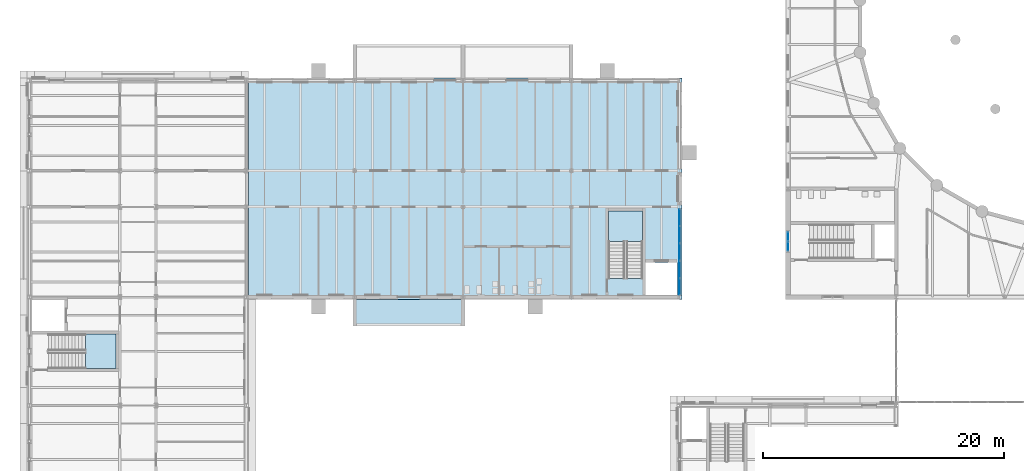
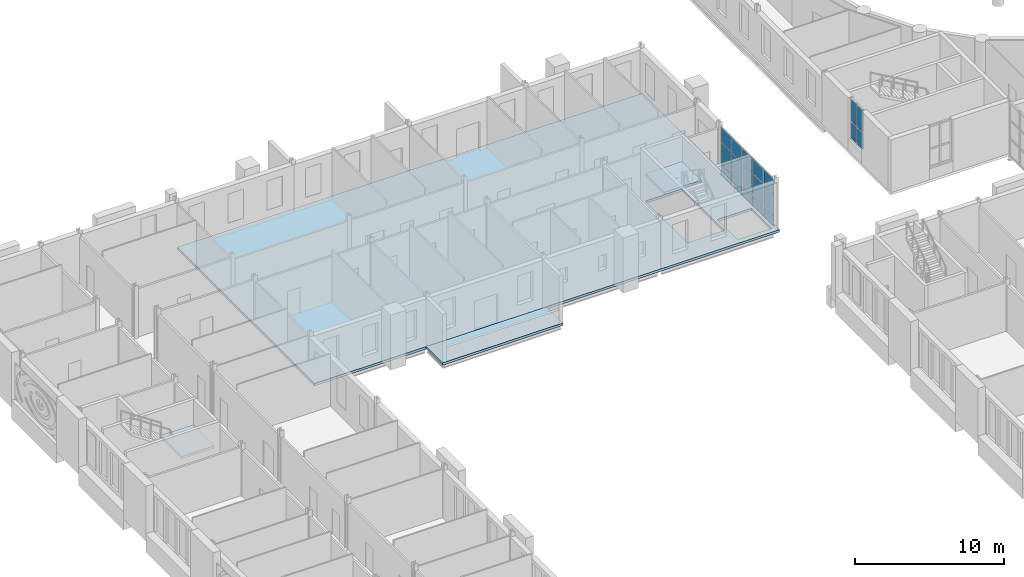
# One storey, part 62 of 134: 19 plates, 4 slabs, 4 elements without a shape of their own.
"""IFC4 building model written with IfcOpenShell, lengths in metres."""

from ifc_helpers import new_model, si_unit, direction, frame, origin, origin_2d, place, context, subcontext, project, spatial, polyline, rectangle, outline, extrude, material, layer, layer_set, type_object, element, aggregate, save


model = new_model("IFC4")

# Units and contexts
model_context = context("Model", 3, precision=1e-05, world=origin(), true_north=direction((0.0, 1.0)))
body_context = subcontext(model_context, "Body", "Model", "MODEL_VIEW")
ifc_project = project(units=[si_unit("LENGTHUNIT", "METRE"), si_unit("AREAUNIT", "SQUARE_METRE"), si_unit("VOLUMEUNIT", "CUBIC_METRE"), si_unit("PLANEANGLEUNIT", "RADIAN"), si_unit("MASSUNIT", "GRAM", prefix="KILO")], contexts=[model_context])

# Site, building, storey
site_placement = place(None, origin())
site = spatial("IfcSite", under=ifc_project, at=site_placement, CompositionType="ELEMENT")
building_placement = place(site_placement, origin())
building = spatial("IfcBuilding", under=site, at=building_placement, Name="Golden Quay Civic Hall", CompositionType="ELEMENT")
storey_placement = place(building_placement, frame((0.0, 0.0, 5.39990234375)))
storey = spatial("IfcBuildingStorey", under=building, at=storey_placement, Name="L01", CompositionType="ELEMENT", Elevation=5.39990234375)

# Slab
ifc_material_1 = material(Name="Concrete C35/45", Category="concrete")
ifc_layer_1 = layer(ifc_material_1, 0.199951171875)
ifc_layer_set_1 = layer_set([ifc_layer_1], Name="Composite floor 200")
slab_type_1 = type_object("IfcSlabType", Name="Composite floor 200", PredefinedType="FLOOR", material=ifc_layer_set_1)
slab_1_placement = place(storey_placement, frame((0.0, 0.0, -0.199951171875)))
element("IfcSlab", 1, at=slab_1_placement, inside=storey, type_object=slab_type_1, Name="NW floor L01", PredefinedType="FLOOR", context=body_context, shape_type="SweptSolid", body=[
    extrude(outline(polyline([(18.199951171875, 62.800048828125), (18.199951171875, 81.199951171875), (54.199951171875, 81.199951171875), (54.199951171875, 62.800048828125), (18.199951171875, 62.800048828125)]), holes=[polyline([(48.074951171875, 70.175048828125), (48.074951171875, 64.554931640625), (50.925048828125, 64.554931640625), (50.925048828125, 70.175048828125), (48.074951171875, 70.175048828125)]), polyline([(53.800048828125, 65.89990234375), (51.175048828125, 65.89990234375), (51.175048828125, 63.199951171875), (53.800048828125, 63.199951171875), (53.800048828125, 65.89990234375)])]), origin(), (0.0, 0.0, 1.0), 0.199951171875),
])

# Stair, slab
ifc_material_2 = material(Name="Concrete C35/45", Category="concrete")
stair_type = type_object("IfcStairType", Name="Concrete stair 1350 wide 24 risers of 187.5", PredefinedType="HALF_TURN_STAIR", material=ifc_material_2)
stair_1_placement = place(storey_placement, origin())
stair_1 = element("IfcStair", 2, at=stair_1_placement, inside=storey, type_object=stair_type, Name="L01 Stair WO-N", PredefinedType="HALF_TURN_STAIR")
ifc_material_3 = material(Name="Concrete C35/45", Category="concrete")
ifc_layer_2 = layer(ifc_material_3, 0.199951171875)
ifc_layer_set_2 = layer_set([ifc_layer_2], Name="Concrete stair landing 200, Concrete C35/45")
slab_type_2 = type_object("IfcSlabType", Name="Concrete stair landing 200", PredefinedType="LANDING", material=ifc_layer_set_2)
slab_2_placement = place(storey_placement, frame((0.0, 0.0, 2.050048828125)))
slab_2 = element("IfcSlab", 3, at=slab_2_placement, type_object=slab_type_2, Name="WO-N landing 1", PredefinedType="LANDING", context=body_context, shape_type="SweptSolid", body=[
    extrude(outline(polyline([(4.6298828125, 57.074951171875), (7.175048828125, 57.074951171875), (7.175048828125, 59.925048828125), (4.6298828125, 59.925048828125), (4.6298828125, 57.074951171875)])), origin(), (0.0, 0.0, 1.0), 0.199951171875),
])
aggregate(stair_1, [slab_2])

stair_2_placement = place(storey_placement, origin())
stair_2 = element("IfcStair", 4, at=stair_2_placement, inside=storey, type_object=stair_type, Name="L01 Stair NW-E", PredefinedType="HALF_TURN_STAIR")
slab_3_placement = place(storey_placement, frame((0.0, 0.0, 2.050048828125)))
slab_3 = element("IfcSlab", 5, at=slab_3_placement, type_object=slab_type_2, Name="NW-E landing 1", PredefinedType="LANDING", context=body_context, shape_type="SweptSolid", body=[
    extrude(outline(polyline([(50.925048828125, 67.6298828125), (50.925048828125, 70.175048828125), (48.074951171875, 70.175048828125), (48.074951171875, 67.6298828125), (50.925048828125, 67.6298828125)])), origin(), (0.0, 0.0, 1.0), 0.199951171875),
])
aggregate(stair_2, [slab_3])

# Curtain wall, plates
ifc_material_4 = material(Name="Glass, laminated double glazed", Category="glass")
ifc_layer_3 = layer(ifc_material_4, 0.199951171875)
ifc_layer_set_3 = layer_set([ifc_layer_3], Name="Glazed core strip curtain wall")
curtain_wall_type_1 = type_object("IfcCurtainWallType", Name="Glazed core strip curtain wall", PredefinedType="NOTDEFINED", material=ifc_layer_set_3)
curtain_wall_1_placement = place(storey_placement, origin())
curtain_wall_1 = element("IfcCurtainWall", 6, at=curtain_wall_1_placement, inside=storey, type_object=curtain_wall_type_1, Name="Glazed core strip curtain wall L01 2", PredefinedType="NOTDEFINED")
ifc_material_5 = material(Name="Glass, laminated double glazed", Category="glass")
ifc_layer_4 = layer(ifc_material_5, 0.028076171875)
ifc_layer_set_4 = layer_set([ifc_layer_4], Name="Double glazed curtain wall panel 28")
plate_type_1 = type_object("IfcPlateType", Name="Double glazed curtain wall panel 28", PredefinedType="CURTAIN_PANEL", material=ifc_layer_set_4)
plate_1_placement = place(storey_placement, frame((54.0, 69.618896484375, 0.06005859375), z_axis=(0.0, 0.0, 1.0), x_axis=(0.0, -1.0, 0.0)))
plate_1 = element("IfcPlate", 7, at=plate_1_placement, type_object=plate_type_1, Name="CW2 panel 1.1", PredefinedType="CURTAIN_PANEL", context=body_context, shape_type="SweptSolid", body=[
    extrude(rectangle(XDim=1.35205078125, YDim=0.028076171875, at=origin_2d()), origin(), (0.0, 0.0, 1.0), 0.81005859375),
])
plate_2_placement = place(storey_placement, frame((54.0, 69.618896484375, 0.93017578125), z_axis=(0.0, 0.0, 1.0), x_axis=(0.0, -1.0, 0.0)))
plate_2 = element("IfcPlate", 8, at=plate_2_placement, type_object=plate_type_1, Name="CW2 panel 1.2", PredefinedType="CURTAIN_PANEL", context=body_context, shape_type="SweptSolid", body=[
    extrude(rectangle(XDim=1.35205078125, YDim=0.028076171875, at=origin_2d()), origin(), (0.0, 0.0, 1.0), 1.739990234375),
])
plate_3_placement = place(storey_placement, frame((54.0, 69.618896484375, 2.72998046875), z_axis=(0.0, 0.0, 1.0), x_axis=(0.0, -1.0, 0.0)))
plate_3 = element("IfcPlate", 9, at=plate_3_placement, type_object=plate_type_1, Name="CW2 panel 1.3", PredefinedType="CURTAIN_PANEL", context=body_context, shape_type="SweptSolid", body=[
    extrude(rectangle(XDim=1.35205078125, YDim=0.028076171875, at=origin_2d()), origin(), (0.0, 0.0, 1.0), 1.179931640625),
])
plate_4_placement = place(storey_placement, frame((54.0, 68.19189453125, 0.06005859375), z_axis=(0.0, 0.0, 1.0), x_axis=(0.0, -1.0, 0.0)))
plate_4 = element("IfcPlate", 10, at=plate_4_placement, type_object=plate_type_1, Name="CW2 panel 2.1", PredefinedType="CURTAIN_PANEL", context=body_context, shape_type="SweptSolid", body=[
    extrude(rectangle(XDim=1.382080078125, YDim=0.028076171875, at=origin_2d()), origin(), (0.0, 0.0, 1.0), 0.81005859375),
])
plate_5_placement = place(storey_placement, frame((54.0, 68.19189453125, 0.93017578125), z_axis=(0.0, 0.0, 1.0), x_axis=(0.0, -1.0, 0.0)))
plate_5 = element("IfcPlate", 11, at=plate_5_placement, type_object=plate_type_1, Name="CW2 panel 2.2", PredefinedType="CURTAIN_PANEL", context=body_context, shape_type="SweptSolid", body=[
    extrude(rectangle(XDim=1.382080078125, YDim=0.028076171875, at=origin_2d()), origin(), (0.0, 0.0, 1.0), 1.739990234375),
])
plate_6_placement = place(storey_placement, frame((54.0, 68.19189453125, 2.72998046875), z_axis=(0.0, 0.0, 1.0), x_axis=(0.0, -1.0, 0.0)))
plate_6 = element("IfcPlate", 12, at=plate_6_placement, type_object=plate_type_1, Name="CW2 panel 2.3", PredefinedType="CURTAIN_PANEL", context=body_context, shape_type="SweptSolid", body=[
    extrude(rectangle(XDim=1.382080078125, YDim=0.028076171875, at=origin_2d()), origin(), (0.0, 0.0, 1.0), 1.179931640625),
])
plate_7_placement = place(storey_placement, frame((54.0, 66.75, 0.06005859375), z_axis=(0.0, 0.0, 1.0), x_axis=(0.0, -1.0, 0.0)))
plate_7 = element("IfcPlate", 13, at=plate_7_placement, type_object=plate_type_1, Name="CW2 panel 3.1", PredefinedType="CURTAIN_PANEL", context=body_context, shape_type="SweptSolid", body=[
    extrude(rectangle(XDim=1.382080078125, YDim=0.028076171875, at=origin_2d()), origin(), (0.0, 0.0, 1.0), 0.81005859375),
])
plate_8_placement = place(storey_placement, frame((54.0, 66.75, 0.93017578125), z_axis=(0.0, 0.0, 1.0), x_axis=(0.0, -1.0, 0.0)))
plate_8 = element("IfcPlate", 14, at=plate_8_placement, type_object=plate_type_1, Name="CW2 panel 3.2", PredefinedType="CURTAIN_PANEL", context=body_context, shape_type="SweptSolid", body=[
    extrude(rectangle(XDim=1.382080078125, YDim=0.028076171875, at=origin_2d()), origin(), (0.0, 0.0, 1.0), 1.739990234375),
])
plate_9_placement = place(storey_placement, frame((54.0, 66.75, 2.72998046875), z_axis=(0.0, 0.0, 1.0), x_axis=(0.0, -1.0, 0.0)))
plate_9 = element("IfcPlate", 15, at=plate_9_placement, type_object=plate_type_1, Name="CW2 panel 3.3", PredefinedType="CURTAIN_PANEL", context=body_context, shape_type="SweptSolid", body=[
    extrude(rectangle(XDim=1.382080078125, YDim=0.028076171875, at=origin_2d()), origin(), (0.0, 0.0, 1.0), 1.179931640625),
])
plate_10_placement = place(storey_placement, frame((54.0, 65.30810546875, 0.06005859375), z_axis=(0.0, 0.0, 1.0), x_axis=(0.0, -1.0, 0.0)))
plate_10 = element("IfcPlate", 16, at=plate_10_placement, type_object=plate_type_1, Name="CW2 panel 4.1", PredefinedType="CURTAIN_PANEL", context=body_context, shape_type="SweptSolid", body=[
    extrude(rectangle(XDim=1.382080078125, YDim=0.028076171875, at=origin_2d()), origin(), (0.0, 0.0, 1.0), 0.81005859375),
])
plate_11_placement = place(storey_placement, frame((54.0, 65.30810546875, 0.93017578125), z_axis=(0.0, 0.0, 1.0), x_axis=(0.0, -1.0, 0.0)))
plate_11 = element("IfcPlate", 17, at=plate_11_placement, type_object=plate_type_1, Name="CW2 panel 4.2", PredefinedType="CURTAIN_PANEL", context=body_context, shape_type="SweptSolid", body=[
    extrude(rectangle(XDim=1.382080078125, YDim=0.028076171875, at=origin_2d()), origin(), (0.0, 0.0, 1.0), 1.739990234375),
])
plate_12_placement = place(storey_placement, frame((54.0, 65.30810546875, 2.72998046875), z_axis=(0.0, 0.0, 1.0), x_axis=(0.0, -1.0, 0.0)))
plate_12 = element("IfcPlate", 18, at=plate_12_placement, type_object=plate_type_1, Name="CW2 panel 4.3", PredefinedType="CURTAIN_PANEL", context=body_context, shape_type="SweptSolid", body=[
    extrude(rectangle(XDim=1.382080078125, YDim=0.028076171875, at=origin_2d()), origin(), (0.0, 0.0, 1.0), 1.179931640625),
])
plate_13_placement = place(storey_placement, frame((54.0, 63.881103515625, 0.06005859375), z_axis=(0.0, 0.0, 1.0), x_axis=(0.0, -1.0, 0.0)))
plate_13 = element("IfcPlate", 19, at=plate_13_placement, type_object=plate_type_1, Name="CW2 panel 5.1", PredefinedType="CURTAIN_PANEL", context=body_context, shape_type="SweptSolid", body=[
    extrude(rectangle(XDim=1.35205078125, YDim=0.028076171875, at=origin_2d()), origin(), (0.0, 0.0, 1.0), 0.81005859375),
])
plate_14_placement = place(storey_placement, frame((54.0, 63.881103515625, 0.93017578125), z_axis=(0.0, 0.0, 1.0), x_axis=(0.0, -1.0, 0.0)))
plate_14 = element("IfcPlate", 20, at=plate_14_placement, type_object=plate_type_1, Name="CW2 panel 5.2", PredefinedType="CURTAIN_PANEL", context=body_context, shape_type="SweptSolid", body=[
    extrude(rectangle(XDim=1.35205078125, YDim=0.028076171875, at=origin_2d()), origin(), (0.0, 0.0, 1.0), 1.739990234375),
])
plate_15_placement = place(storey_placement, frame((54.0, 63.881103515625, 2.72998046875), z_axis=(0.0, 0.0, 1.0), x_axis=(0.0, -1.0, 0.0)))
plate_15 = element("IfcPlate", 21, at=plate_15_placement, type_object=plate_type_1, Name="CW2 panel 5.3", PredefinedType="CURTAIN_PANEL", context=body_context, shape_type="SweptSolid", body=[
    extrude(rectangle(XDim=1.35205078125, YDim=0.028076171875, at=origin_2d()), origin(), (0.0, 0.0, 1.0), 1.179931640625),
])
aggregate(curtain_wall_1, [plate_1, plate_2, plate_3, plate_4, plate_5, plate_6, plate_7, plate_8, plate_9, plate_10, plate_11, plate_12, plate_13, plate_14, plate_15])

ifc_material_6 = material(Name="Fire-resisting glass and steel", Category="steel")
curtain_wall_type_2 = type_object("IfcCurtainWallType", Name="Fire-resisting glazed stair curtain wall EI 120", PredefinedType="NOTDEFINED", material=ifc_material_6)
curtain_wall_2_placement = place(storey_placement, origin())
curtain_wall_2 = element("IfcCurtainWall", 22, at=curtain_wall_2_placement, inside=storey, type_object=curtain_wall_type_2, Name="CW4 stair curtain wall", PredefinedType="NOTDEFINED")
ifc_material_7 = material(Name="Fire-resisting laminated glass", Category="glass")
ifc_layer_5 = layer(ifc_material_7, 0.0400390625)
ifc_layer_set_5 = layer_set([ifc_layer_5], Name="Fire-resisting glazed stair panel 40")
plate_type_2 = type_object("IfcPlateType", Name="Fire-resisting glazed stair panel 40", PredefinedType="CURTAIN_PANEL", material=ifc_layer_set_5)
plate_16_placement = place(storey_placement, frame((63.0, 67.205078125, 1.02001953125), z_axis=(0.0, 0.0, 1.0), x_axis=(0.0, 1.0, 0.0)))
plate_16 = element("IfcPlate", 23, at=plate_16_placement, type_object=plate_type_2, Name="CW4 panel 1.1", PredefinedType="CURTAIN_PANEL", context=body_context, shape_type="SweptSolid", body=[
    extrude(rectangle(XDim=0.719970703125, YDim=0.0400390625, at=origin_2d()), origin(), (0.0, 0.0, 1.0), 1.320068359375),
])
plate_17_placement = place(storey_placement, frame((63.0, 67.205078125, 2.4599609375), z_axis=(0.0, 0.0, 1.0), x_axis=(0.0, 1.0, 0.0)))
plate_17 = element("IfcPlate", 24, at=plate_17_placement, type_object=plate_type_2, Name="CW4 panel 1.2", PredefinedType="CURTAIN_PANEL", context=body_context, shape_type="SweptSolid", body=[
    extrude(rectangle(XDim=0.719970703125, YDim=0.0400390625, at=origin_2d()), origin(), (0.0, 0.0, 1.0), 1.719970703125),
])
plate_18_placement = place(storey_placement, frame((63.0, 68.044921875, 1.02001953125), z_axis=(0.0, 0.0, 1.0), x_axis=(0.0, 1.0, 0.0)))
plate_18 = element("IfcPlate", 25, at=plate_18_placement, type_object=plate_type_2, Name="CW4 panel 2.1", PredefinedType="CURTAIN_PANEL", context=body_context, shape_type="SweptSolid", body=[
    extrude(rectangle(XDim=0.719970703125, YDim=0.0400390625, at=origin_2d()), origin(), (0.0, 0.0, 1.0), 1.320068359375),
])
plate_19_placement = place(storey_placement, frame((63.0, 68.044921875, 2.4599609375), z_axis=(0.0, 0.0, 1.0), x_axis=(0.0, 1.0, 0.0)))
plate_19 = element("IfcPlate", 26, at=plate_19_placement, type_object=plate_type_2, Name="CW4 panel 2.2", PredefinedType="CURTAIN_PANEL", context=body_context, shape_type="SweptSolid", body=[
    extrude(rectangle(XDim=0.719970703125, YDim=0.0400390625, at=origin_2d()), origin(), (0.0, 0.0, 1.0), 1.719970703125),
])
aggregate(curtain_wall_2, [plate_16, plate_17, plate_18, plate_19])

# Slab
ifc_material_8 = material(Name="Concrete C35/45", Category="concrete")
ifc_layer_6 = layer(ifc_material_8, 0.199951171875)
ifc_layer_set_6 = layer_set([ifc_layer_6], Name="Loggia deck 200")
slab_type_3 = type_object("IfcSlabType", Name="Loggia deck 200", PredefinedType="FLOOR", material=ifc_layer_set_6)
slab_4_placement = place(storey_placement, frame((0.0, 0.0, -0.199951171875)))
element("IfcSlab", 27, at=slab_4_placement, inside=storey, type_object=slab_type_3, Name="Loggia deck 200 L01 2", PredefinedType="FLOOR", context=body_context, shape_type="SweptSolid", body=[
    extrude(outline(polyline([(26.85009765625, 62.800048828125), (36.14990234375, 62.800048828125), (36.14990234375, 60.60009765625), (26.85009765625, 60.60009765625), (26.85009765625, 62.800048828125)])), origin(), (0.0, 0.0, 1.0), 0.199951171875),
])

save(model, "model.ifc")
